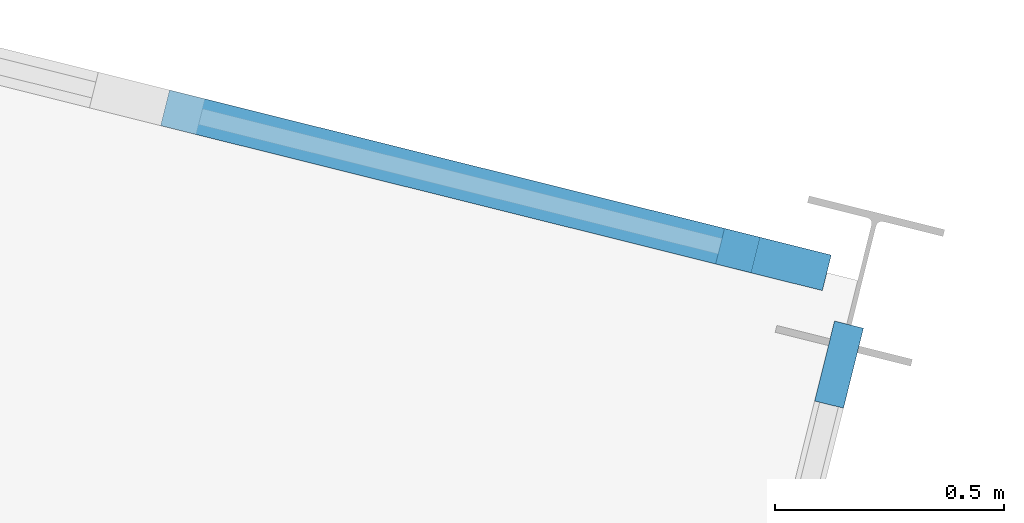
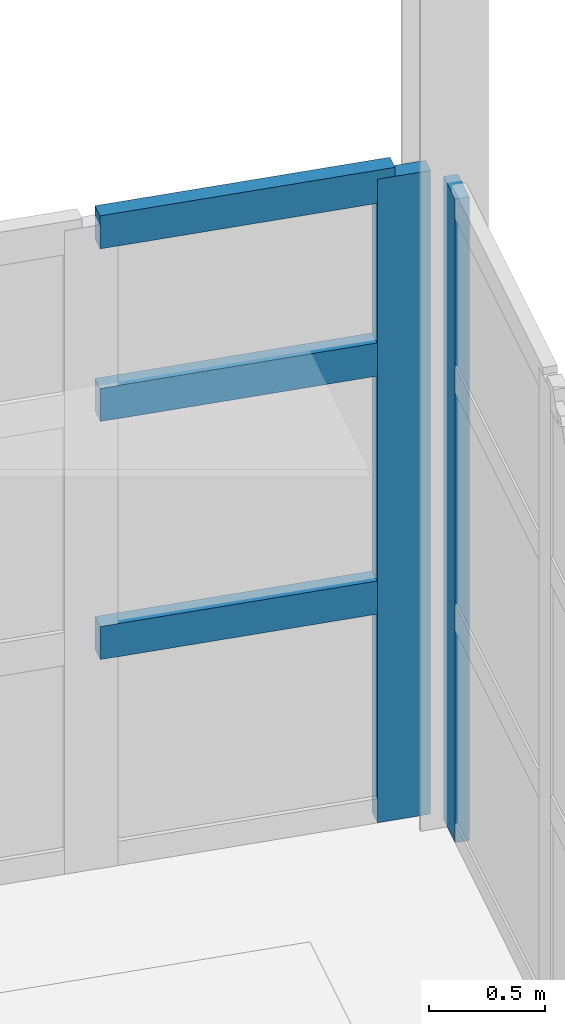
# One storey, part 22 of 59: 5 members, 2 elements without a shape of their own.
"""IFC4 building model written with IfcOpenShell, lengths in metres."""

import ifcopenshell
import ifcopenshell.guid

model = None  # the IFC model being written
_history = None  # IfcOwnerHistory: only IFC2X3 demands one
_inside = {}  # id of a spatial element -> (the spatial element, [elements in it])
_under = {}  # id of a project, library or spatial element -> (it, [spatial elements below it])
_declared = {}  # id of a project -> (the project, [libraries it declares])
_typed = {}  # id of a type object -> (the type object, [elements of that type])
_made_of = {}  # id of a material, layer set ... -> (it, [elements and type objects made of it])


def new_model(schema):
    """Start an empty IFC model of exactly this schema.

    Asked for "IFC4X3", IfcOpenShell would pick the latest addendum, in which some entities
    have other attributes; the version numbers below select the first issue.
    IFC2X3 requires an IfcOwnerHistory on every rooted entity: one is made here for all.
    """
    global model, _history
    if schema == "IFC4X3":
        model = ifcopenshell.file(schema_version=(4, 3, 0, 0))
    else:
        model = ifcopenshell.file(schema=schema)
    _inside.clear()
    _under.clear()
    _declared.clear()
    _typed.clear()
    _made_of.clear()
    _history = None
    if model.schema == "IFC2X3":
        org = make("IfcOrganization", Name="unknown")
        user = make(
            "IfcPersonAndOrganization",
            ThePerson=make("IfcPerson", FamilyName="unknown"),
            TheOrganization=org,
        )
        app = make(
            "IfcApplication",
            ApplicationDeveloper=org,
            Version="unknown",
            ApplicationFullName="unknown",
            ApplicationIdentifier="unknown",
        )
        _history = make(
            "IfcOwnerHistory",
            OwningUser=user,
            OwningApplication=app,
            ChangeAction="ADDED",
            CreationDate=0,
        )
    return model


def make(cls, **values):
    """One entity of the class cls with the attributes given. An attribute that is None is left unset."""
    return model.create_entity(
        cls, **{name: value for name, value in values.items() if value is not None}
    )


def rooted(cls, **values):
    """An entity with a GlobalId (a new one), such as an element, a storey or a relation."""
    return make(cls, GlobalId=ifcopenshell.guid.new(), OwnerHistory=_history, **values)


def si_unit(unit_type, name, prefix=None):
    """IfcSIUnit, for example si_unit("LENGTHUNIT", "METRE", prefix="MILLI")."""
    return make("IfcSIUnit", UnitType=unit_type, Prefix=prefix, Name=name)


def assignment(units):
    """IfcUnitAssignment: the units of a project."""
    return None if units is None else make("IfcUnitAssignment", Units=units)


def point(xyz):
    """IfcCartesianPoint."""
    return None if xyz is None else make("IfcCartesianPoint", Coordinates=xyz)


def direction(xyz):
    """IfcDirection."""
    return None if xyz is None else make("IfcDirection", DirectionRatios=xyz)


def frame(location, z_axis=None, x_axis=None):
    """IfcAxis2Placement3D, a coordinate frame: its origin and axes. An axis left out is left unset."""
    return make(
        "IfcAxis2Placement3D",
        Location=point(location),
        Axis=direction(z_axis),
        RefDirection=direction(x_axis),
    )


def frame_2d(location, x_axis=None):
    """IfcAxis2Placement2D, a coordinate frame in the plane: its origin and x axis."""
    return make(
        "IfcAxis2Placement2D", Location=point(location), RefDirection=direction(x_axis)
    )


def origin():
    """The frame at (0, 0, 0) with its axes left unset."""
    return frame((0.0, 0.0, 0.0))


def origin_2d():
    """The frame at (0, 0) in the plane with its x axis left unset."""
    return frame_2d((0.0, 0.0))


def place(relative_to, where):
    """IfcLocalPlacement: puts the frame where relative to a parent placement (None: the world)."""
    return make(
        "IfcLocalPlacement", PlacementRelTo=relative_to, RelativePlacement=where
    )


def context(
    kind, dimensions, precision=None, world=None, true_north=None, identifier=None
):
    """IfcGeometricRepresentationContext, for example the 3D "Model" context."""
    return make(
        "IfcGeometricRepresentationContext",
        ContextIdentifier=identifier,
        ContextType=kind,
        CoordinateSpaceDimension=dimensions,
        Precision=precision,
        WorldCoordinateSystem=world,
        TrueNorth=true_north,
    )


def subcontext(parent, identifier, kind, view, scale=None):
    """IfcGeometricRepresentationSubContext, for example "Body" below "Model"."""
    return make(
        "IfcGeometricRepresentationSubContext",
        ContextIdentifier=identifier,
        ContextType=kind,
        ParentContext=parent,
        TargetScale=scale,
        TargetView=view,
    )


def project(units=None, contexts=None):
    """IfcProject with its units and contexts."""
    return rooted(
        "IfcProject",
        Name="project",
        RepresentationContexts=contexts,
        UnitsInContext=assignment(units),
    )


def spatial(cls, under=None, at=None, **own):
    """A site, building, storey or space (cls), placed at a placement, below another one or the project."""
    s = rooted(cls, ObjectPlacement=at, **own)
    if under is not None:
        _under.setdefault(under.id(), (under, []))[1].append(s)
    return s


def profile(cls, at=None, kind="AREA", **sizes):
    """A parametric profile (cls). Its sizes go by their IFC names, for example OverallWidth=200.0."""
    return make(cls, ProfileType=kind, Position=at, **sizes)


def rectangle(**sizes):
    """IfcRectangleProfileDef."""
    return profile("IfcRectangleProfileDef", **sizes)


def extrude(swept, where, along, depth):
    """IfcExtrudedAreaSolid: the profile swept, set in the frame where, extruded along a direction by depth."""
    return make(
        "IfcExtrudedAreaSolid",
        SweptArea=swept,
        Position=where,
        ExtrudedDirection=direction(along),
        Depth=depth,
    )


def shape(context_of_items, identifier, shape_type, items):
    """IfcShapeRepresentation: the items that make up one representation, for example the "Body"."""
    return make(
        "IfcShapeRepresentation",
        ContextOfItems=context_of_items,
        RepresentationIdentifier=identifier,
        RepresentationType=shape_type,
        Items=items,
    )


def material(Name=None, Category=None):
    """IfcMaterial."""
    return make("IfcMaterial", Name=Name, Category=Category)


def layer(
    of_material, thickness, ventilated=None, Name=None, Category=None, Priority=None
):
    """IfcMaterialLayer: one layer of a wall or slab, of a material (None: an air gap)."""
    return make(
        "IfcMaterialLayer",
        Material=of_material,
        LayerThickness=thickness,
        IsVentilated=ventilated,
        Name=Name,
        Category=Category,
        Priority=Priority,
    )


def layer_set(layers, Name=None):
    """IfcMaterialLayerSet."""
    return make("IfcMaterialLayerSet", MaterialLayers=layers, LayerSetName=Name)


def material_profile(
    of_material, cross_section, Name=None, Category=None, Priority=None
):
    """IfcMaterialProfile: a cross section and its material."""
    return make(
        "IfcMaterialProfile",
        Name=Name,
        Material=of_material,
        Profile=cross_section,
        Priority=Priority,
        Category=Category,
    )


def profile_set(profiles, Name=None, composite=None):
    """IfcMaterialProfileSet."""
    return make(
        "IfcMaterialProfileSet",
        Name=Name,
        MaterialProfiles=profiles,
        CompositeProfile=composite,
    )


def made_of(thing, what):
    """Note that an element or type object is made of a material, layer set ...; save() writes the relation."""
    if what is not None:
        _made_of.setdefault(what.id(), (what, []))[1].append(thing)
    return thing


def type_object(cls, material=None, **own):
    """A type object (cls), such as IfcWallType, which elements share."""
    return made_of(rooted(cls, **own), material)


def element(
    cls,
    number,
    at=None,
    inside=None,
    cuts=None,
    type_object=None,
    material=None,
    context=None,
    identifier="Body",
    shape_type=None,
    held_by="IfcProductDefinitionShape",
    body=None,
    shapes=None,
    **own,
):
    """One element of the class cls, such as IfcWall. Its Tag is "e" and its number.

    at: its placement. inside: the storey or other place that contains it. cuts: it is an
    opening in that element (IfcRelVoidsElement). A single representation is given by context,
    identifier, shape_type and body (its items); several are given by shapes. held_by: the class
    of the entity that holds the representations. save() writes the other relations.
    """
    e = rooted(cls, Tag="e%d" % number, ObjectPlacement=at, **own)
    if body is not None:
        shapes = [shape(context, identifier, shape_type, body)]
    if shapes is not None:
        e.Representation = make(held_by, Representations=shapes)
    if inside is not None:
        _inside.setdefault(inside.id(), (inside, []))[1].append(e)
    if cuts is not None:
        rooted(
            "IfcRelVoidsElement", RelatingBuildingElement=cuts, RelatedOpeningElement=e
        )
    if type_object is not None:
        _typed.setdefault(type_object.id(), (type_object, []))[1].append(e)
    return made_of(e, material)


def aggregate(whole, parts):
    """IfcRelAggregates: a whole, such as a stair, and the parts it consists of."""
    return rooted("IfcRelAggregates", RelatingObject=whole, RelatedObjects=parts)


def save(model, path):
    """Write the relations noted so far, then the file.

    IfcRelAggregates (storeys below a building ...), IfcRelContainedInSpatialStructure (elements
    in a storey), IfcRelDefinesByType, IfcRelAssociatesMaterial and IfcRelDeclares: one each for
    every whole, place, type object, material and project.
    """
    for whole, parts in _under.values():
        aggregate(whole, parts)
    for where, things in _inside.values():
        rooted(
            "IfcRelContainedInSpatialStructure",
            RelatedElements=things,
            RelatingStructure=where,
        )
    for kind, things in _typed.values():
        rooted("IfcRelDefinesByType", RelatedObjects=things, RelatingType=kind)
    for what, things in _made_of.values():
        rooted("IfcRelAssociatesMaterial", RelatedObjects=things, RelatingMaterial=what)
    for by, libraries in _declared.values():
        rooted("IfcRelDeclares", RelatingContext=by, RelatedDefinitions=libraries)
    model.write(path)


model = new_model("IFC4")

# Units and contexts
model_context = context("Model", 3, precision=1e-05, world=origin(), true_north=direction((0.0, 1.0)))
body_context = subcontext(model_context, "Body", "Model", "MODEL_VIEW")
ifc_project = project(units=[si_unit("LENGTHUNIT", "METRE"), si_unit("AREAUNIT", "SQUARE_METRE"), si_unit("VOLUMEUNIT", "CUBIC_METRE"), si_unit("PLANEANGLEUNIT", "RADIAN"), si_unit("MASSUNIT", "GRAM", prefix="KILO")], contexts=[model_context])

# Site, building, storey
site_placement = place(None, origin())
site = spatial("IfcSite", under=ifc_project, at=site_placement, CompositionType="ELEMENT")
building_placement = place(site_placement, origin())
building = spatial("IfcBuilding", under=site, at=building_placement, Name="Vireo Bluff Cable Station", CompositionType="ELEMENT")
storey_placement = place(building_placement, frame((0.0, 0.0, 14.39990234375)))
storey = spatial("IfcBuildingStorey", under=building, at=storey_placement, Name="L03", CompositionType="ELEMENT", Elevation=14.39990234375)

# Curtain wall, member
ifc_material = material(Name="Anodized Aluminium 6063-T6", Category="aluminium")
ifc_layer_1 = layer(ifc_material, 0.179931640625, Name="Anodized Aluminium 6063-T6")
ifc_layer_set_1 = layer_set([ifc_layer_1], Name="Anodized Aluminium 6063-T6")
curtain_wall_type_1 = type_object("IfcCurtainWallType", Name="CW-UNIT-1500", PredefinedType="USERDEFINED", material=ifc_layer_set_1)
curtain_wall_1_placement = place(storey_placement, origin())
curtain_wall_1 = element("IfcCurtainWall", 1, at=curtain_wall_1_placement, inside=storey, type_object=curtain_wall_type_1, Name="V1 L03 east curtain wall CW-028", ObjectType="UNITISED CURTAIN WALL", PredefinedType="USERDEFINED")
ifc_material_profile_1 = material_profile(ifc_material, rectangle(XDim=0.06494140625, YDim=0.179931640625, at=origin_2d()), Name="ALU-M-65X180")
ifc_profile_set_1 = profile_set([ifc_material_profile_1], Name="Anodized Aluminium 6063-T6")
member_type_1 = type_object("IfcMemberType", Name="CWM-01", PredefinedType="MULLION", material=ifc_profile_set_1)
member_1_placement = place(storey_placement, frame((112.156494140625, 48.041015625, 0.0), z_axis=(0.0, 0.0, 1.0), x_axis=(0.970295711705, -0.241921954042, 0.0)))
member_1 = element("IfcMember", 2, at=member_1_placement, type_object=member_type_1, Name="CW-028 mullion 1", PredefinedType="MULLION", context=body_context, shape_type="SweptSolid", body=[
    extrude(rectangle(XDim=0.06494140625, YDim=0.179931640625, at=origin_2d()), origin(), (0.0, 0.0, 1.0), 3.400146484375),
])
aggregate(curtain_wall_1, [member_1])

# Curtain wall, members
ifc_layer_2 = layer(ifc_material, 0.179931640625, Name="Anodized Aluminium 6063-T6")
ifc_layer_set_2 = layer_set([ifc_layer_2], Name="Anodized Aluminium 6063-T6")
curtain_wall_type_2 = type_object("IfcCurtainWallType", Name="CW-UNIT-1400", PredefinedType="USERDEFINED", material=ifc_layer_set_2)
curtain_wall_2_placement = place(storey_placement, origin())
curtain_wall_2 = element("IfcCurtainWall", 3, at=curtain_wall_2_placement, inside=storey, type_object=curtain_wall_type_2, Name="V1 L03 north curtain wall CW-027", ObjectType="UNITISED CURTAIN WALL", PredefinedType="USERDEFINED")
ifc_material_profile_2 = material_profile(ifc_material, rectangle(XDim=0.080078125, YDim=0.239990234375, at=origin_2d()), Name="ALU-M-80X240")
ifc_profile_set_2 = profile_set([ifc_material_profile_2], Name="Anodized Aluminium 6063-T6")
member_type_2 = type_object("IfcMemberType", Name="CWM-04", PredefinedType="MULLION", material=ifc_profile_set_2)
member_2_placement = place(storey_placement, frame((112.013427734375, 48.270263671875, 0.0), z_axis=(0.0, 0.0, 1.0), x_axis=(0.241921878749, 0.970295730477, 0.0)))
member_2 = element("IfcMember", 4, at=member_2_placement, type_object=member_type_2, Name="CW-027 mullion 7", PredefinedType="MULLION", context=body_context, shape_type="SweptSolid", body=[
    extrude(rectangle(XDim=0.080078125, YDim=0.239990234375, at=origin_2d()), origin(), (0.0, 0.0, 1.0), 3.400146484375),
])
ifc_material_profile_3 = material_profile(ifc_material, rectangle(XDim=0.080078125, YDim=0.175048828125, at=origin_2d()), Name="ALU-T-80X175")
ifc_profile_set_3 = profile_set([ifc_material_profile_3], Name="Anodized Aluminium 6063-T6")
member_type_3 = type_object("IfcMemberType", Name="CWT-04", PredefinedType="USERDEFINED", material=ifc_profile_set_3)
member_3_placement = place(storey_placement, frame((110.685546875, 48.601318359375, 1.190185546875), z_axis=(0.970315215168, -0.241843716508, 0.0), x_axis=(0.241843716508, 0.970315215168, 0.0)))
member_3 = element("IfcMember", 5, at=member_3_placement, type_object=member_type_3, Name="CW-027 transom 6.2", ObjectType="TRANSOM", PredefinedType="USERDEFINED", context=body_context, shape_type="SweptSolid", body=[
    extrude(rectangle(XDim=0.080078125, YDim=0.175048828125, at=origin_2d()), origin(), (0.0, 0.0, 1.0), 1.32861328125),
])
member_4_placement = place(storey_placement, frame((110.685546875, 48.601318359375, 2.447998046875), z_axis=(0.970315215168, -0.241843716508, 0.0), x_axis=(0.241843716508, 0.970315215168, 0.0)))
member_4 = element("IfcMember", 6, at=member_4_placement, type_object=member_type_3, Name="CW-027 transom 6.3", ObjectType="TRANSOM", PredefinedType="USERDEFINED", context=body_context, shape_type="SweptSolid", body=[
    extrude(rectangle(XDim=0.080078125, YDim=0.175048828125, at=origin_2d()), origin(), (0.0, 0.0, 1.0), 1.32861328125),
])
member_5_placement = place(storey_placement, frame((110.685546875, 48.601318359375, 3.360107421875), z_axis=(0.970315215168, -0.241843716508, 0.0), x_axis=(0.241843716508, 0.970315215168, 0.0)))
member_5 = element("IfcMember", 7, at=member_5_placement, type_object=member_type_3, Name="CW-027 transom 6.4", ObjectType="TRANSOM", PredefinedType="USERDEFINED", context=body_context, shape_type="SweptSolid", body=[
    extrude(rectangle(XDim=0.080078125, YDim=0.175048828125, at=origin_2d()), origin(), (0.0, 0.0, 1.0), 1.32861328125),
])
aggregate(curtain_wall_2, [member_2, member_3, member_4, member_5])

save(model, "model.ifc")
